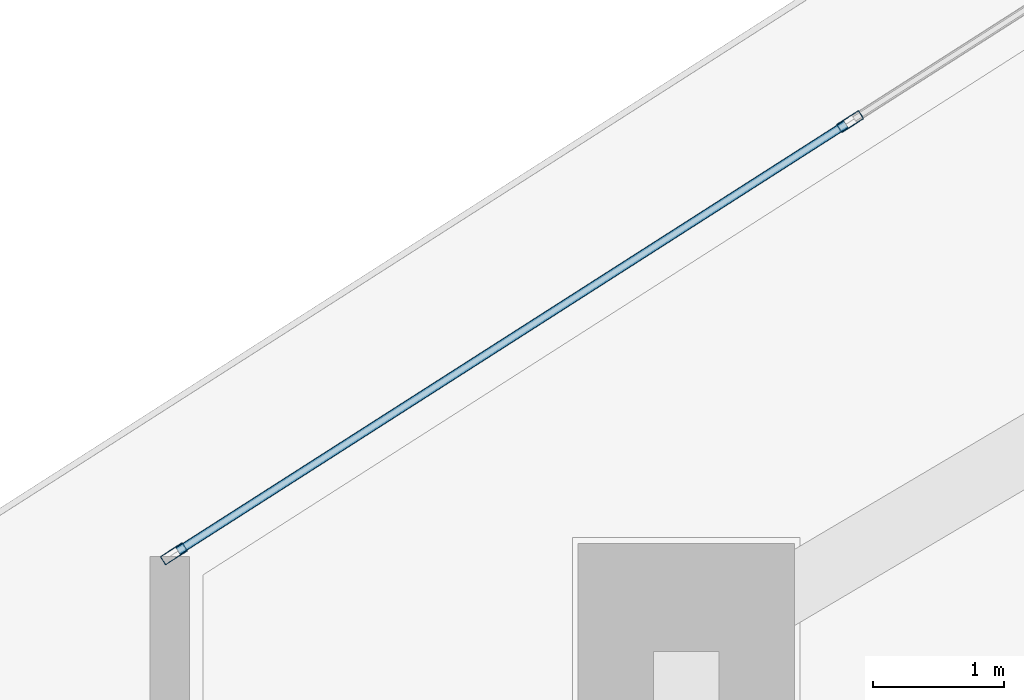
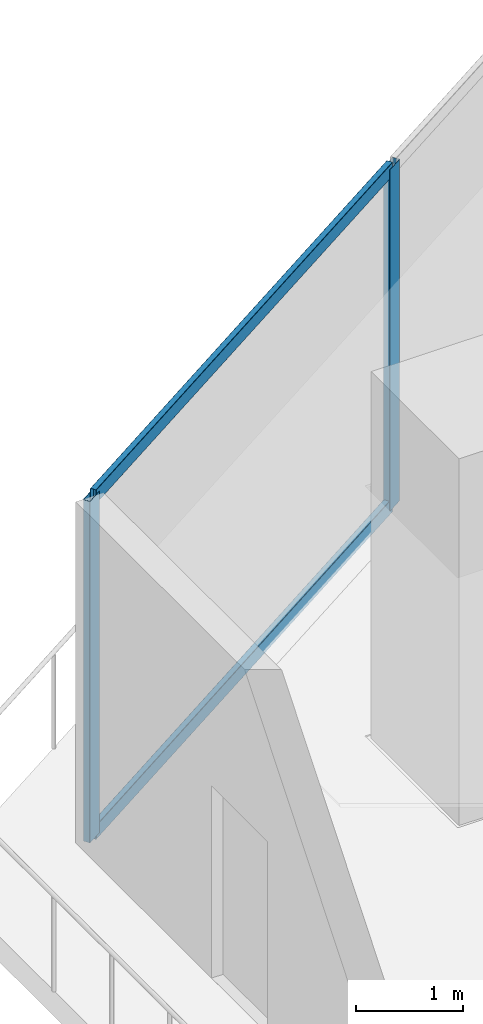
# One storey, part 8 of 31: 4 members, 1 element without a shape of its own.
"""IFC4 building model written with IfcOpenShell, lengths in metres."""

from ifc_helpers import new_model, si_unit, direction, frame, origin, origin_2d, place, context, subcontext, project, spatial, hollow_rectangle, extrude, material, layer, layer_set, material_profile, profile_set, type_object, element, aggregate, save


model = new_model("IFC4")

# Units and contexts
model_context = context("Model", 3, precision=1e-05, world=origin(), true_north=direction((0.0, 1.0)))
body_context = subcontext(model_context, "Body", "Model", "MODEL_VIEW")
ifc_project = project(units=[si_unit("LENGTHUNIT", "METRE"), si_unit("AREAUNIT", "SQUARE_METRE"), si_unit("VOLUMEUNIT", "CUBIC_METRE"), si_unit("PLANEANGLEUNIT", "RADIAN"), si_unit("MASSUNIT", "GRAM", prefix="KILO")], contexts=[model_context])

# Site, building, storey
site_placement = place(None, origin())
site = spatial("IfcSite", under=ifc_project, at=site_placement, CompositionType="ELEMENT")
building_placement = place(site_placement, origin())
building = spatial("IfcBuilding", under=site, at=building_placement, Name="Qorvath Tower", CompositionType="ELEMENT")
storey_placement = place(building_placement, frame((0.0, 0.0, 264.0)))
storey = spatial("IfcBuildingStorey", under=building, at=storey_placement, Name="L61", CompositionType="ELEMENT", Elevation=264.0)

# Curtain wall, members
ifc_material_1 = material(Name="Anodised aluminium and triple low-E glass", Category="aluminium")
ifc_layer = layer(ifc_material_1, 0.179931640625)
ifc_layer_set = layer_set([ifc_layer], Name="CW-SYS-4")
curtain_wall_type = type_object("IfcCurtainWallType", Name="CW-SYS-4", PredefinedType="NOTDEFINED", material=ifc_layer_set)
curtain_wall_placement = place(storey_placement, origin())
curtain_wall = element("IfcCurtainWall", 1, at=curtain_wall_placement, inside=storey, type_object=curtain_wall_type, Name="Curtain Wall CW-4 CW-T-L61-16.3", PredefinedType="NOTDEFINED")
ifc_material_2 = material(Name="Anodised aluminium 6063-T6", Category="aluminium")
ifc_material_profile_1 = material_profile(ifc_material_2, hollow_rectangle(XDim=0.074951171875, YDim=0.199951171875, WallThickness=0.00390625, InnerFilletRadius=0.00390625, OuterFilletRadius=0.008056640625, at=origin_2d()), Name="CWM 200x75")
ifc_profile_set_1 = profile_set([ifc_material_profile_1], Name="Anodised aluminium 6063-T6")
member_type_1 = type_object("IfcMemberType", Name="CWM-200", PredefinedType="MULLION", material=ifc_profile_set_1)
member_1_placement = place(storey_placement, frame((-46.288818359375, 6.386474609375, 0.0), z_axis=(0.0, 0.0, 1.0), x_axis=(0.538533165876, -0.842604313573, 0.0)))
member_1 = element("IfcMember", 2, at=member_1_placement, type_object=member_type_1, Name="CW-4 mullion 3", PredefinedType="MULLION", context=body_context, shape_type="SweptSolid", body=[
    extrude(hollow_rectangle(XDim=0.074951171875, YDim=0.199951171875, WallThickness=0.00390625, InnerFilletRadius=0.00390625, OuterFilletRadius=0.008056640625, at=origin_2d()), origin(), (0.0, 0.0, 1.0), 3.909912109375),
])
member_2_placement = place(storey_placement, frame((-51.439697265625, 3.094482421875, 0.0), z_axis=(0.0, 0.0, 1.0), x_axis=(0.538533165876, -0.842604313573, 0.0)))
member_2 = element("IfcMember", 3, at=member_2_placement, type_object=member_type_1, Name="CW-4 mullion 4", PredefinedType="MULLION", context=body_context, shape_type="SweptSolid", body=[
    extrude(hollow_rectangle(XDim=0.074951171875, YDim=0.199951171875, WallThickness=0.00390625, InnerFilletRadius=0.00390625, OuterFilletRadius=0.008056640625, at=origin_2d()), origin(), (0.0, 0.0, 1.0), 3.909912109375),
])
ifc_material_3 = material(Name="Anodised aluminium 6063-T6", Category="aluminium")
ifc_material_profile_2 = material_profile(ifc_material_3, hollow_rectangle(XDim=0.06494140625, YDim=0.159912109375, WallThickness=0.00341796875, InnerFilletRadius=0.00341796875, OuterFilletRadius=0.007080078125, at=origin_2d()), Name="CWT 160x65")
ifc_profile_set_2 = profile_set([ifc_material_profile_2], Name="Anodised aluminium 6063-T6")
member_type_2 = type_object("IfcMemberType", Name="CWT-160", PredefinedType="USERDEFINED", material=ifc_profile_set_2)
member_3_placement = place(storey_placement, frame((-46.3203125, 6.3662109375, 0.032470703125), z_axis=(-0.842600955665, -0.538538419718, 0.0), x_axis=(0.538538419718, -0.842600955665, 0.0)))
member_3 = element("IfcMember", 4, at=member_3_placement, type_object=member_type_2, Name="CW-4 transom 3.1", ObjectType="TRANSOM", PredefinedType="USERDEFINED", context=body_context, shape_type="SweptSolid", body=[
    extrude(hollow_rectangle(XDim=0.06494140625, YDim=0.159912109375, WallThickness=0.00341796875, InnerFilletRadius=0.00341796875, OuterFilletRadius=0.007080078125, at=origin_2d()), origin(), (0.0, 0.0, 1.0), 6.0380859375),
])
member_4_placement = place(storey_placement, frame((-46.3203125, 6.3662109375, 3.87744140625), z_axis=(-0.842600955665, -0.538538419718, 0.0), x_axis=(0.538538419718, -0.842600955665, 0.0)))
member_4 = element("IfcMember", 5, at=member_4_placement, type_object=member_type_2, Name="CW-4 transom 3.2", ObjectType="TRANSOM", PredefinedType="USERDEFINED", context=body_context, shape_type="SweptSolid", body=[
    extrude(hollow_rectangle(XDim=0.06494140625, YDim=0.159912109375, WallThickness=0.00341796875, InnerFilletRadius=0.00341796875, OuterFilletRadius=0.007080078125, at=origin_2d()), origin(), (0.0, 0.0, 1.0), 6.0380859375),
])
aggregate(curtain_wall, [member_1, member_2, member_3, member_4])

save(model, "model.ifc")
